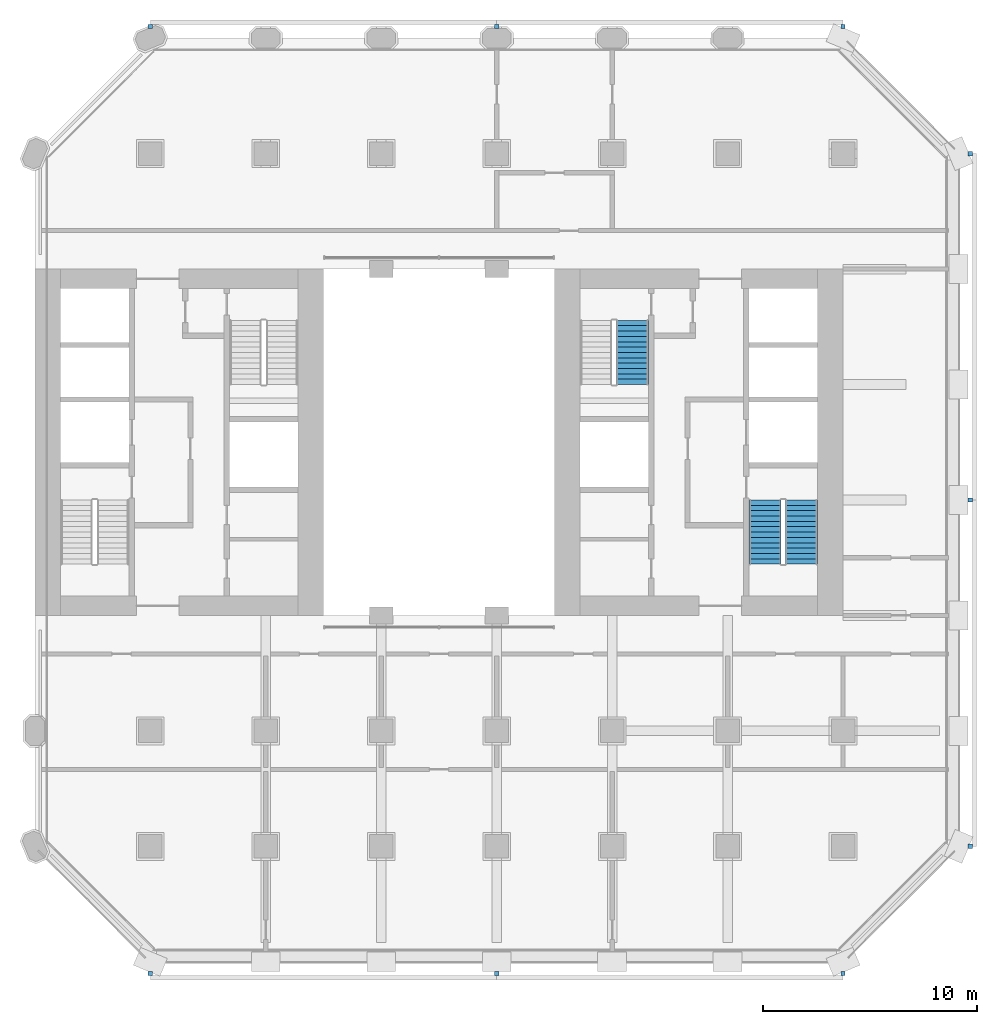
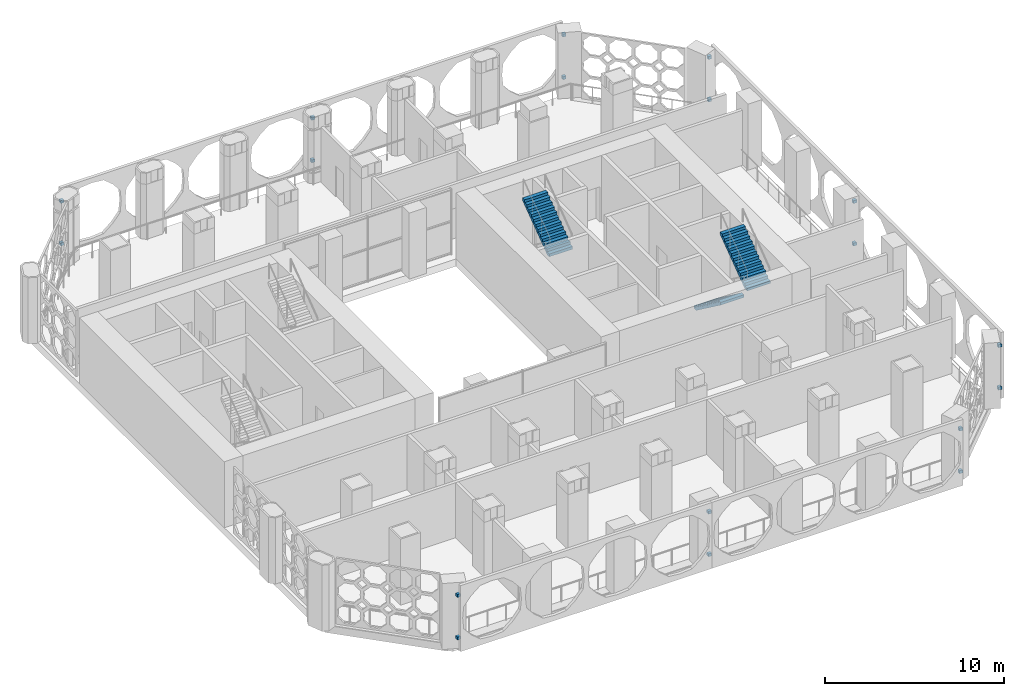
# One storey, part 10 of 14: 18 discrete accessories, 3 stair flights, 2 elements without a shape of their own.
"""IFC4 building model written with IfcOpenShell, lengths in metres."""

from ifc_helpers import new_model, si_unit, direction, frame, origin, origin_2d, place, context, subcontext, project, spatial, polyline, rectangle, outline, extrude, material, type_object, element, aggregate, save


model = new_model("IFC4")

# Units and contexts
model_context = context("Model", 3, precision=1e-05, world=origin(), true_north=direction((0.0, 1.0)))
body_context = subcontext(model_context, "Body", "Model", "MODEL_VIEW")
ifc_project = project(units=[si_unit("LENGTHUNIT", "METRE"), si_unit("AREAUNIT", "SQUARE_METRE"), si_unit("VOLUMEUNIT", "CUBIC_METRE"), si_unit("PLANEANGLEUNIT", "RADIAN"), si_unit("MASSUNIT", "GRAM", prefix="KILO")], contexts=[model_context])

# Site, building, storey
site_placement = place(None, origin())
site = spatial("IfcSite", under=ifc_project, at=site_placement, CompositionType="ELEMENT")
building_placement = place(site_placement, origin())
building = spatial("IfcBuilding", under=site, at=building_placement, Name="Tabaq Tower and Sports Hall", CompositionType="ELEMENT")
storey_placement = place(building_placement, frame((0.0, 0.0, 60.199951171875)))
storey = spatial("IfcBuildingStorey", under=building, at=storey_placement, Name="L13", CompositionType="ELEMENT", Elevation=60.199951171875)

# Stair, stair flights
ifc_material_1 = material(Name="Concrete C40/50", Category="concrete")
stair_type = type_object("IfcStairType", Name="Exit stair", PredefinedType="HALF_TURN_STAIR", material=ifc_material_1)
stair_1_placement = place(storey_placement, origin())
stair_1 = element("IfcStair", 1, at=stair_1_placement, inside=storey, type_object=stair_type, Name="L13 Exit stair ST3", PredefinedType="HALF_TURN_STAIR")
ifc_material_2 = material(Name="Concrete C40/50", Category="concrete")
stair_flight_type = type_object("IfcStairFlightType", Name="Exit stair flight", PredefinedType="STRAIGHT", material=ifc_material_2)
stair_flight_1_placement = place(storey_placement, frame((39.550048828125, 21.60009765625, 0.0), z_axis=(0.0, 0.0, 1.0), x_axis=(0.0, -1.0, 0.0)))
stair_flight_1 = element("IfcStairFlight", 2, at=stair_flight_1_placement, type_object=stair_flight_type, Name="ST3 flight 1", NumberOfRisers=13, NumberOfTreads=12, PredefinedType="STRAIGHT", RiserHeight=0.184615385, TreadLength=0.25, context=body_context, shape_type="SweptSolid", body=[
    extrude(outline(polyline([(0.0, 0.0), (0.0, 0.1845703125), (0.25, 0.1845703125), (0.25, 0.369140625), (0.5, 0.369140625), (0.5, 0.553955078125), (0.75, 0.553955078125), (0.75, 0.738525390625), (1.0, 0.738525390625), (1.0, 0.923095703125), (1.25, 0.923095703125), (1.25, 1.107666015625), (1.5, 1.107666015625), (1.5, 1.292236328125), (1.75, 1.292236328125), (1.75, 1.476806640625), (2.0, 1.476806640625), (2.0, 1.66162109375), (2.25, 1.66162109375), (2.25, 1.84619140625), (2.5, 1.84619140625), (2.5, 2.03076171875), (2.75, 2.03076171875), (2.75, 2.21533203125), (3.0, 2.21533203125), (3.0, 2.39990234375), (3.0, 2.029052734375), (0.25244140625, 0.0), (0.0, 0.0)])), frame((0.0, 0.75, 0.0), z_axis=(0.0, -1.0, 0.0), x_axis=(1.0, 0.0, 0.0)), (0.0, 0.0, 1.0), 1.5),
])
stair_flight_2_placement = place(storey_placement, frame((41.25, 18.60009765625, 2.400146484375), z_axis=(0.0, 0.0, 1.0), x_axis=(0.0, 1.0, 0.0)))
stair_flight_2 = element("IfcStairFlight", 3, at=stair_flight_2_placement, type_object=stair_flight_type, Name="ST3 flight 2", NumberOfRisers=13, NumberOfTreads=12, PredefinedType="STRAIGHT", RiserHeight=0.184615385, TreadLength=0.25, context=body_context, shape_type="SweptSolid", body=[
    extrude(outline(polyline([(0.0, 0.0), (0.0, 0.1845703125), (0.25, 0.1845703125), (0.25, 0.369140625), (0.5, 0.369140625), (0.5, 0.553955078125), (0.75, 0.553955078125), (0.75, 0.738525390625), (1.0, 0.738525390625), (1.0, 0.923095703125), (1.25, 0.923095703125), (1.25, 1.107666015625), (1.5, 1.107666015625), (1.5, 1.292236328125), (1.75, 1.292236328125), (1.75, 1.476806640625), (2.0, 1.476806640625), (2.0, 1.66162109375), (2.25, 1.66162109375), (2.25, 1.84619140625), (2.5, 1.84619140625), (2.5, 2.03076171875), (2.75, 2.03076171875), (2.75, 2.21533203125), (3.0, 2.21533203125), (3.0, 2.39990234375), (3.0, 2.029052734375), (0.25244140625, 0.0), (0.0, 0.0)])), frame((0.0, 0.75, 0.0), z_axis=(0.0, -1.0, 0.0), x_axis=(1.0, 0.0, 0.0)), (0.0, 0.0, 1.0), 1.5),
])
aggregate(stair_1, [stair_flight_1, stair_flight_2])

# Stair, stair flight
stair_2_placement = place(storey_placement, origin())
stair_2 = element("IfcStair", 4, at=stair_2_placement, inside=storey, type_object=stair_type, Name="L13 Exit stair ST4", PredefinedType="HALF_TURN_STAIR")
stair_flight_3_placement = place(storey_placement, frame((33.35009765625, 27.0, 2.400146484375), z_axis=(0.0, 0.0, 1.0), x_axis=(0.0, 1.0, 0.0)))
stair_flight_3 = element("IfcStairFlight", 5, at=stair_flight_3_placement, type_object=stair_flight_type, Name="ST4 flight 2", NumberOfRisers=13, NumberOfTreads=12, PredefinedType="STRAIGHT", RiserHeight=0.184615385, TreadLength=0.25, context=body_context, shape_type="SweptSolid", body=[
    extrude(outline(polyline([(0.0, 0.0), (0.0, 0.1845703125), (0.25, 0.1845703125), (0.25, 0.369140625), (0.5, 0.369140625), (0.5, 0.553955078125), (0.75, 0.553955078125), (0.75, 0.738525390625), (1.0, 0.738525390625), (1.0, 0.923095703125), (1.25, 0.923095703125), (1.25, 1.107666015625), (1.5, 1.107666015625), (1.5, 1.292236328125), (1.75, 1.292236328125), (1.75, 1.476806640625), (2.0, 1.476806640625), (2.0, 1.66162109375), (2.25, 1.66162109375), (2.25, 1.84619140625), (2.5, 1.84619140625), (2.5, 2.03076171875), (2.75, 2.03076171875), (2.75, 2.21533203125), (3.0, 2.21533203125), (3.0, 2.39990234375), (3.0, 2.029052734375), (0.25244140625, 0.0), (0.0, 0.0)])), frame((0.0, 0.75, 0.0), z_axis=(0.0, -1.0, 0.0), x_axis=(1.0, 0.0, 0.0)), (0.0, 0.0, 1.0), 1.5),
])
aggregate(stair_2, [stair_flight_3])

# Discrete accessories
for number, where, z_axis, x_axis, name in (
    (6, (10.800048828125, -0.550048828125, 0.7001953125), (0.0, 0.0, 1.0), (0.0, 1.0, 0.0), "Stainless steel bracket"),
    (7, (10.800048828125, -0.550048828125, 3.60009765625), (0.0, 0.0, 1.0), (0.0, 1.0, 0.0), "Stainless steel bracket"),
    (8, (27.0, -0.550048828125, 0.7001953125), (0.0, 0.0, 1.0), (0.0, 1.0, 0.0), "Stainless steel bracket"),
    (9, (27.0, -0.550048828125, 3.60009765625), (0.0, 0.0, 1.0), (0.0, 1.0, 0.0), "Stainless steel bracket"),
    (10, (43.199951171875, -0.550048828125, 0.7001953125), (0.0, 0.0, 1.0), (0.0, 1.0, 0.0), "Stainless steel bracket"),
    (11, (43.199951171875, -0.550048828125, 3.60009765625), (0.0, 0.0, 1.0), (0.0, 1.0, 0.0), "Stainless steel bracket"),
    (12, (49.14990234375, 5.39990234375, 0.7001953125), (0.0, 0.0, 1.0), (-1.0, 0.0, 0.0), "Stainless steel bracket"),
    (13, (49.14990234375, 5.39990234375, 3.60009765625), (0.0, 0.0, 1.0), (-1.0, 0.0, 0.0), "Stainless steel bracket"),
    (14, (49.14990234375, 21.60009765625, 0.7001953125), (0.0, 0.0, 1.0), (-1.0, 0.0, 0.0), "Stainless steel bracket"),
    (15, (49.14990234375, 21.60009765625, 3.60009765625), (0.0, 0.0, 1.0), (-1.0, 0.0, 0.0), "Stainless steel bracket"),
    (16, (49.14990234375, 37.800048828125, 0.7001953125), (0.0, 0.0, 1.0), (-1.0, 0.0, 0.0), "Stainless steel bracket"),
    (17, (49.14990234375, 37.800048828125, 3.60009765625), (0.0, 0.0, 1.0), (-1.0, 0.0, 0.0), "Stainless steel bracket"),
    (18, (43.199951171875, 43.75, 0.7001953125), (0.0, 0.0, 1.0), (0.0, -1.0, 0.0), "Stainless steel bracket"),
    (19, (43.199951171875, 43.75, 3.60009765625), (0.0, 0.0, 1.0), (0.0, -1.0, 0.0), "Stainless steel bracket"),
    (20, (27.0, 43.75, 0.7001953125), (0.0, 0.0, 1.0), (0.0, -1.0, 0.0), "Stainless steel bracket"),
    (21, (27.0, 43.75, 3.60009765625), (0.0, 0.0, 1.0), (0.0, -1.0, 0.0), "Stainless steel bracket"),
    (22, (10.800048828125, 43.75, 0.7001953125), (0.0, 0.0, 1.0), (0.0, -1.0, 0.0), "Stainless steel bracket"),
    (23, (10.800048828125, 43.75, 3.60009765625), (0.0, 0.0, 1.0), (0.0, -1.0, 0.0), "Stainless steel bracket"),
):
    element("IfcDiscreteAccessory", number, at=place(storey_placement, frame(where, z_axis=z_axis, x_axis=x_axis)), inside=storey, Name=name, PredefinedType="BRACKET", context=body_context, shape_type="SweptSolid", body=[
        extrude(rectangle(XDim=0.199951171875, YDim=0.199951171875, at=origin_2d()), origin(), (0.0, 0.0, 1.0), 0.199951171875),
    ])

save(model, "model.ifc")
